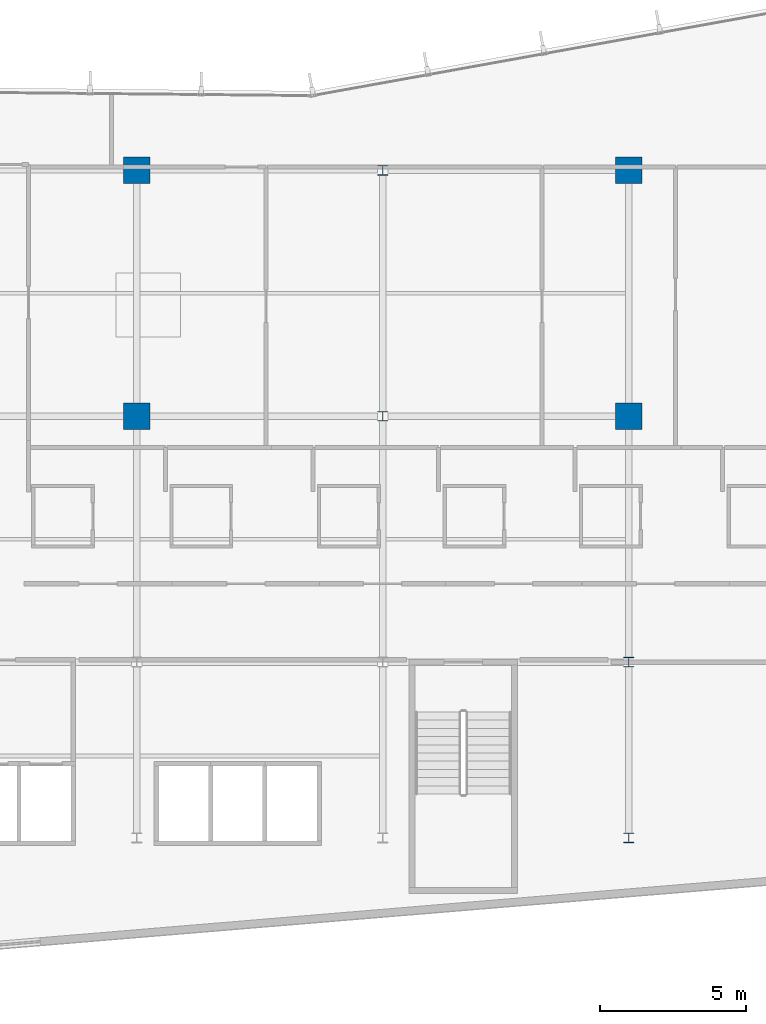
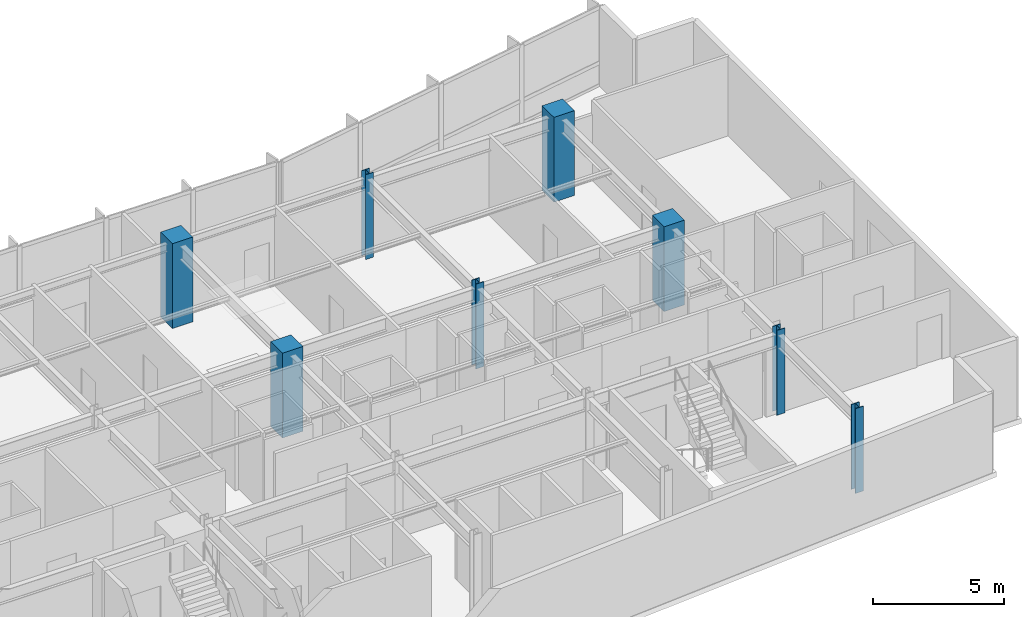
# One storey, part 2 of 19: 8 columns.
"""IFC4 building model written with IfcOpenShell, lengths in metres."""

from ifc_helpers import new_model, si_unit, direction, frame, origin, origin_2d, place, context, subcontext, project, spatial, rectangle, i_section, extrude, material, material_profile, profile_set, type_object, element, save


model = new_model("IFC4")

# Units and contexts
model_context = context("Model", 3, precision=1e-05, world=origin(), true_north=direction((0.0, 1.0)))
body_context = subcontext(model_context, "Body", "Model", "MODEL_VIEW")
ifc_project = project(units=[si_unit("LENGTHUNIT", "METRE"), si_unit("AREAUNIT", "SQUARE_METRE"), si_unit("VOLUMEUNIT", "CUBIC_METRE"), si_unit("PLANEANGLEUNIT", "RADIAN"), si_unit("MASSUNIT", "GRAM", prefix="KILO")], contexts=[model_context])

# Site, building, storey
site_placement = place(None, origin())
site = spatial("IfcSite", under=ifc_project, at=site_placement, CompositionType="ELEMENT")
building_placement = place(site_placement, origin())
building = spatial("IfcBuilding", under=site, at=building_placement, Name="Varnakote Quay Hospital", CompositionType="ELEMENT")
storey_placement = place(building_placement, frame((0.0, 0.0, 54.10009765625)))
storey = spatial("IfcBuildingStorey", under=building, at=storey_placement, Name="L13", CompositionType="ELEMENT", Elevation=54.10009765625)

# Columns
ifc_material_1 = material(Name="Concrete N50 (f'c 50 MPa)", Category="concrete")
ifc_material_profile_1 = material_profile(ifc_material_1, rectangle(XDim=0.89990234375, YDim=0.89990234375, at=origin_2d()), Name="RC-COL-900x900")
ifc_profile_set_1 = profile_set([ifc_material_profile_1], Name="Concrete N50 (f'c 50 MPa)")
column_type_1 = type_object("IfcColumnType", Name="COL-RC-900", PredefinedType="COLUMN", material=ifc_profile_set_1)
for number, where, z_axis, x_axis, name in (
    (1, (33.60009765625, 20.39990234375, 0.0), (0.0, 0.0, 1.0), (1.0, 0.0, 0.0), "L13 Structural Column C-34-20"),
    (2, (50.39990234375, 20.39990234375, 0.0), (0.0, 0.0, 1.0), (1.0, 0.0, 0.0), "L13 Structural Column C-50-20"),
    (3, (33.60009765625, 28.800048828125, 0.0), (0.0, 0.0, 1.0), (1.0, 0.0, 0.0), "L13 Structural Column C-34-29"),
    (4, (50.39990234375, 28.800048828125, 0.0), (0.0, 0.0, 1.0), (1.0, 0.0, 0.0), "L13 Structural Column C-50-29"),
):
    element("IfcColumn", number, at=place(storey_placement, frame(where, z_axis=z_axis, x_axis=x_axis)), inside=storey, type_object=column_type_1, Name=name, PredefinedType="COLUMN", context=body_context, shape_type="SweptSolid", body=[
        extrude(rectangle(XDim=0.89990234375, YDim=0.89990234375, at=origin_2d()), origin(), (0.0, 0.0, 1.0), 3.949951171875),
    ])
ifc_material_2 = material(Name="Structural steel AS/NZS 3678 Grade 350 (fy 340 MPa)", Category="steel")
ifc_material_profile_2 = material_profile(ifc_material_2, i_section(OverallWidth=0.35009765625, OverallDepth=0.340087890625, WebThickness=0.01611328125, FlangeThickness=0.028076171875, at=origin_2d()), Name="350WC197")
ifc_profile_set_2 = profile_set([ifc_material_profile_2], Name="Structural steel AS/NZS 3678 Grade 350 (fy 340 MPa)")
column_type_2 = type_object("IfcColumnType", Name="COL-STL-350WC197", PredefinedType="COLUMN", material=ifc_profile_set_2)
for number, where, z_axis, x_axis, name in (
    (5, (50.39990234375, 6.0, 0.0), (0.0, 0.0, 1.0), (1.0, 0.0, 0.0), "L13 Structural Column C-50-6"),
    (6, (50.39990234375, 12.0, 0.0), (0.0, 0.0, 1.0), (1.0, 0.0, 0.0), "L13 Structural Column C-50-12"),
    (7, (42.0, 20.39990234375, 0.0), (0.0, 0.0, 1.0), (1.0, 0.0, 0.0), "L13 Structural Column C-42-20"),
    (8, (42.0, 28.800048828125, 0.0), (0.0, 0.0, 1.0), (1.0, 0.0, 0.0), "L13 Structural Column C-42-29"),
):
    element("IfcColumn", number, at=place(storey_placement, frame(where, z_axis=z_axis, x_axis=x_axis)), inside=storey, type_object=column_type_2, Name=name, PredefinedType="COLUMN", context=body_context, shape_type="SweptSolid", body=[
        extrude(i_section(OverallWidth=0.35009765625, OverallDepth=0.340087890625, WebThickness=0.01611328125, FlangeThickness=0.028076171875, at=origin_2d()), origin(), (0.0, 0.0, 1.0), 3.949951171875),
    ])

save(model, "model.ifc")
